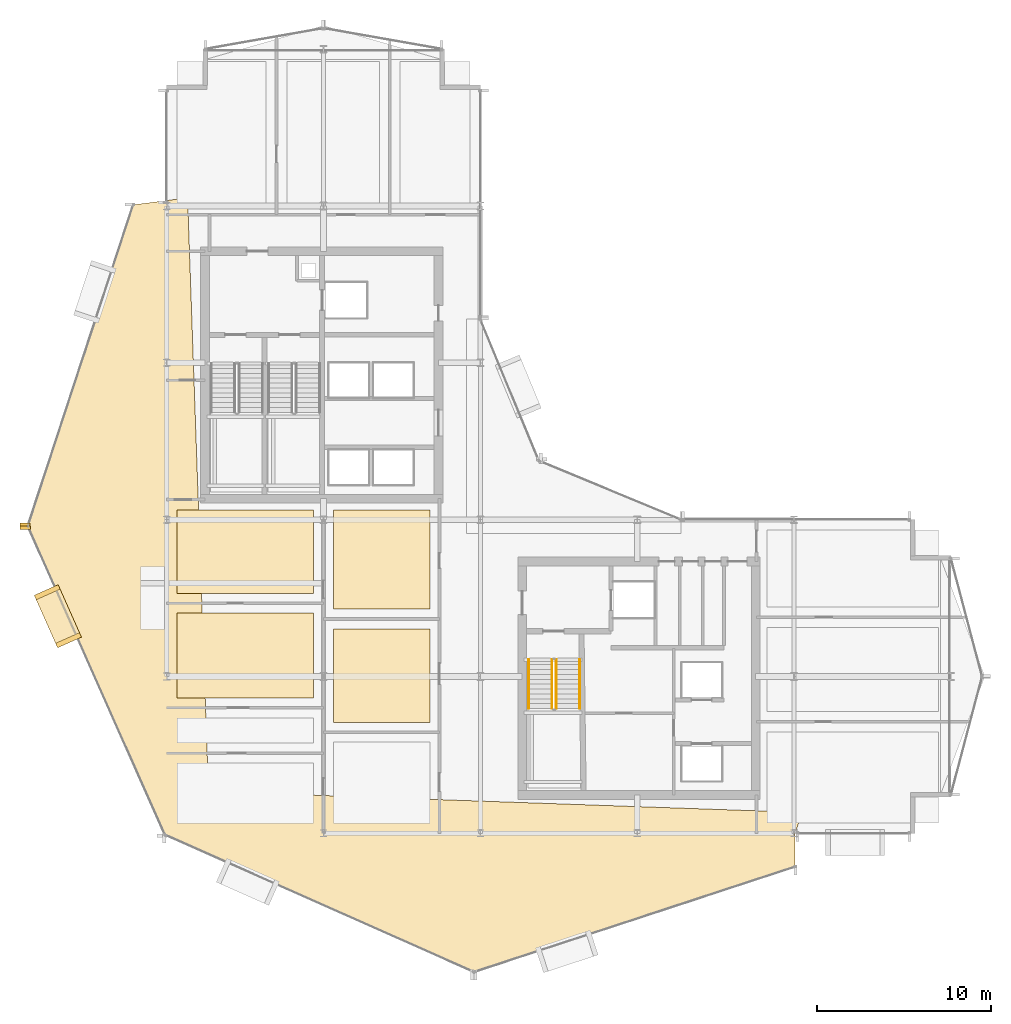
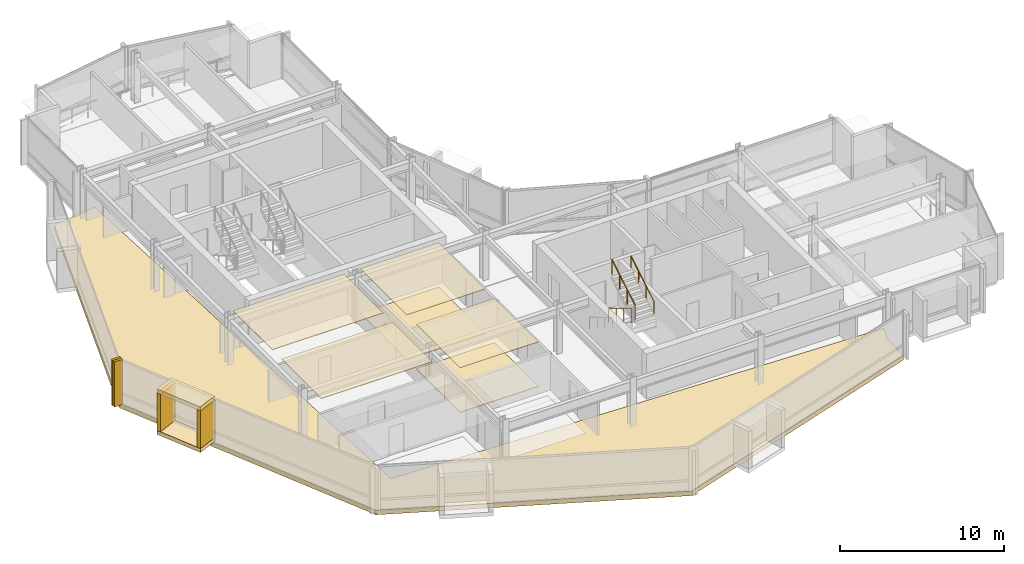
# One storey, part 26 of 29: 13 coverings, 4 railings.
"""IFC4 building model written with IfcOpenShell, lengths in metres."""

import ifcopenshell
import ifcopenshell.guid

model = None  # the IFC model being written
_history = None  # IfcOwnerHistory: only IFC2X3 demands one
_inside = {}  # id of a spatial element -> (the spatial element, [elements in it])
_under = {}  # id of a project, library or spatial element -> (it, [spatial elements below it])
_declared = {}  # id of a project -> (the project, [libraries it declares])
_typed = {}  # id of a type object -> (the type object, [elements of that type])
_made_of = {}  # id of a material, layer set ... -> (it, [elements and type objects made of it])


def new_model(schema):
    """Start an empty IFC model of exactly this schema.

    Asked for "IFC4X3", IfcOpenShell would pick the latest addendum, in which some entities
    have other attributes; the version numbers below select the first issue.
    IFC2X3 requires an IfcOwnerHistory on every rooted entity: one is made here for all.
    """
    global model, _history
    if schema == "IFC4X3":
        model = ifcopenshell.file(schema_version=(4, 3, 0, 0))
    else:
        model = ifcopenshell.file(schema=schema)
    _inside.clear()
    _under.clear()
    _declared.clear()
    _typed.clear()
    _made_of.clear()
    _history = None
    if model.schema == "IFC2X3":
        org = make("IfcOrganization", Name="unknown")
        user = make(
            "IfcPersonAndOrganization",
            ThePerson=make("IfcPerson", FamilyName="unknown"),
            TheOrganization=org,
        )
        app = make(
            "IfcApplication",
            ApplicationDeveloper=org,
            Version="unknown",
            ApplicationFullName="unknown",
            ApplicationIdentifier="unknown",
        )
        _history = make(
            "IfcOwnerHistory",
            OwningUser=user,
            OwningApplication=app,
            ChangeAction="ADDED",
            CreationDate=0,
        )
    return model


def make(cls, **values):
    """One entity of the class cls with the attributes given. An attribute that is None is left unset."""
    return model.create_entity(
        cls, **{name: value for name, value in values.items() if value is not None}
    )


def rooted(cls, **values):
    """An entity with a GlobalId (a new one), such as an element, a storey or a relation."""
    return make(cls, GlobalId=ifcopenshell.guid.new(), OwnerHistory=_history, **values)


def si_unit(unit_type, name, prefix=None):
    """IfcSIUnit, for example si_unit("LENGTHUNIT", "METRE", prefix="MILLI")."""
    return make("IfcSIUnit", UnitType=unit_type, Prefix=prefix, Name=name)


def assignment(units):
    """IfcUnitAssignment: the units of a project."""
    return None if units is None else make("IfcUnitAssignment", Units=units)


def point(xyz):
    """IfcCartesianPoint."""
    return None if xyz is None else make("IfcCartesianPoint", Coordinates=xyz)


def direction(xyz):
    """IfcDirection."""
    return None if xyz is None else make("IfcDirection", DirectionRatios=xyz)


def frame(location, z_axis=None, x_axis=None):
    """IfcAxis2Placement3D, a coordinate frame: its origin and axes. An axis left out is left unset."""
    return make(
        "IfcAxis2Placement3D",
        Location=point(location),
        Axis=direction(z_axis),
        RefDirection=direction(x_axis),
    )


def frame_2d(location, x_axis=None):
    """IfcAxis2Placement2D, a coordinate frame in the plane: its origin and x axis."""
    return make(
        "IfcAxis2Placement2D", Location=point(location), RefDirection=direction(x_axis)
    )


def origin():
    """The frame at (0, 0, 0) with its axes left unset."""
    return frame((0.0, 0.0, 0.0))


def origin_2d():
    """The frame at (0, 0) in the plane with its x axis left unset."""
    return frame_2d((0.0, 0.0))


def place(relative_to, where):
    """IfcLocalPlacement: puts the frame where relative to a parent placement (None: the world)."""
    return make(
        "IfcLocalPlacement", PlacementRelTo=relative_to, RelativePlacement=where
    )


def context(
    kind, dimensions, precision=None, world=None, true_north=None, identifier=None
):
    """IfcGeometricRepresentationContext, for example the 3D "Model" context."""
    return make(
        "IfcGeometricRepresentationContext",
        ContextIdentifier=identifier,
        ContextType=kind,
        CoordinateSpaceDimension=dimensions,
        Precision=precision,
        WorldCoordinateSystem=world,
        TrueNorth=true_north,
    )


def subcontext(parent, identifier, kind, view, scale=None):
    """IfcGeometricRepresentationSubContext, for example "Body" below "Model"."""
    return make(
        "IfcGeometricRepresentationSubContext",
        ContextIdentifier=identifier,
        ContextType=kind,
        ParentContext=parent,
        TargetScale=scale,
        TargetView=view,
    )


def project(units=None, contexts=None):
    """IfcProject with its units and contexts."""
    return rooted(
        "IfcProject",
        Name="project",
        RepresentationContexts=contexts,
        UnitsInContext=assignment(units),
    )


def spatial(cls, under=None, at=None, **own):
    """A site, building, storey or space (cls), placed at a placement, below another one or the project."""
    s = rooted(cls, ObjectPlacement=at, **own)
    if under is not None:
        _under.setdefault(under.id(), (under, []))[1].append(s)
    return s


def polyline(points):
    """IfcPolyline through the points."""
    return make("IfcPolyline", Points=[point(p) for p in points])


def profile(cls, at=None, kind="AREA", **sizes):
    """A parametric profile (cls). Its sizes go by their IFC names, for example OverallWidth=200.0."""
    return make(cls, ProfileType=kind, Position=at, **sizes)


def rectangle(**sizes):
    """IfcRectangleProfileDef."""
    return profile("IfcRectangleProfileDef", **sizes)


def circle(**sizes):
    """IfcCircleProfileDef."""
    return profile("IfcCircleProfileDef", **sizes)


def outline(outer, holes=None, kind="AREA"):
    """IfcArbitraryClosedProfileDef: a profile drawn as a closed curve; with holes, ...WithVoids."""
    if holes is None:
        return make("IfcArbitraryClosedProfileDef", ProfileType=kind, OuterCurve=outer)
    return make(
        "IfcArbitraryProfileDefWithVoids",
        ProfileType=kind,
        OuterCurve=outer,
        InnerCurves=holes,
    )


def extrude(swept, where, along, depth):
    """IfcExtrudedAreaSolid: the profile swept, set in the frame where, extruded along a direction by depth."""
    return make(
        "IfcExtrudedAreaSolid",
        SweptArea=swept,
        Position=where,
        ExtrudedDirection=direction(along),
        Depth=depth,
    )


def shape(context_of_items, identifier, shape_type, items):
    """IfcShapeRepresentation: the items that make up one representation, for example the "Body"."""
    return make(
        "IfcShapeRepresentation",
        ContextOfItems=context_of_items,
        RepresentationIdentifier=identifier,
        RepresentationType=shape_type,
        Items=items,
    )


def material(Name=None, Category=None):
    """IfcMaterial."""
    return make("IfcMaterial", Name=Name, Category=Category)


def layer(
    of_material, thickness, ventilated=None, Name=None, Category=None, Priority=None
):
    """IfcMaterialLayer: one layer of a wall or slab, of a material (None: an air gap)."""
    return make(
        "IfcMaterialLayer",
        Material=of_material,
        LayerThickness=thickness,
        IsVentilated=ventilated,
        Name=Name,
        Category=Category,
        Priority=Priority,
    )


def layer_set(layers, Name=None):
    """IfcMaterialLayerSet."""
    return make("IfcMaterialLayerSet", MaterialLayers=layers, LayerSetName=Name)


def made_of(thing, what):
    """Note that an element or type object is made of a material, layer set ...; save() writes the relation."""
    if what is not None:
        _made_of.setdefault(what.id(), (what, []))[1].append(thing)
    return thing


def type_object(cls, material=None, **own):
    """A type object (cls), such as IfcWallType, which elements share."""
    return made_of(rooted(cls, **own), material)


def element(
    cls,
    number,
    at=None,
    inside=None,
    cuts=None,
    type_object=None,
    material=None,
    context=None,
    identifier="Body",
    shape_type=None,
    held_by="IfcProductDefinitionShape",
    body=None,
    shapes=None,
    **own,
):
    """One element of the class cls, such as IfcWall. Its Tag is "e" and its number.

    at: its placement. inside: the storey or other place that contains it. cuts: it is an
    opening in that element (IfcRelVoidsElement). A single representation is given by context,
    identifier, shape_type and body (its items); several are given by shapes. held_by: the class
    of the entity that holds the representations. save() writes the other relations.
    """
    e = rooted(cls, Tag="e%d" % number, ObjectPlacement=at, **own)
    if body is not None:
        shapes = [shape(context, identifier, shape_type, body)]
    if shapes is not None:
        e.Representation = make(held_by, Representations=shapes)
    if inside is not None:
        _inside.setdefault(inside.id(), (inside, []))[1].append(e)
    if cuts is not None:
        rooted(
            "IfcRelVoidsElement", RelatingBuildingElement=cuts, RelatedOpeningElement=e
        )
    if type_object is not None:
        _typed.setdefault(type_object.id(), (type_object, []))[1].append(e)
    return made_of(e, material)


def aggregate(whole, parts):
    """IfcRelAggregates: a whole, such as a stair, and the parts it consists of."""
    return rooted("IfcRelAggregates", RelatingObject=whole, RelatedObjects=parts)


def save(model, path):
    """Write the relations noted so far, then the file.

    IfcRelAggregates (storeys below a building ...), IfcRelContainedInSpatialStructure (elements
    in a storey), IfcRelDefinesByType, IfcRelAssociatesMaterial and IfcRelDeclares: one each for
    every whole, place, type object, material and project.
    """
    for whole, parts in _under.values():
        aggregate(whole, parts)
    for where, things in _inside.values():
        rooted(
            "IfcRelContainedInSpatialStructure",
            RelatedElements=things,
            RelatingStructure=where,
        )
    for kind, things in _typed.values():
        rooted("IfcRelDefinesByType", RelatedObjects=things, RelatingType=kind)
    for what, things in _made_of.values():
        rooted("IfcRelAssociatesMaterial", RelatedObjects=things, RelatingMaterial=what)
    for by, libraries in _declared.values():
        rooted("IfcRelDeclares", RelatingContext=by, RelatedDefinitions=libraries)
    model.write(path)


model = new_model("IFC4")

# Units and contexts
model_context = context("Model", 3, precision=1e-05, world=origin(), true_north=direction((0.0, 1.0)))
body_context = subcontext(model_context, "Body", "Model", "MODEL_VIEW")
ifc_project = project(units=[si_unit("LENGTHUNIT", "METRE"), si_unit("AREAUNIT", "SQUARE_METRE"), si_unit("VOLUMEUNIT", "CUBIC_METRE"), si_unit("PLANEANGLEUNIT", "RADIAN"), si_unit("MASSUNIT", "GRAM", prefix="KILO")], contexts=[model_context])

# Site, building, storey
site_placement = place(None, origin())
site = spatial("IfcSite", under=ifc_project, at=site_placement, CompositionType="ELEMENT")
building_placement = place(site_placement, origin())
building = spatial("IfcBuilding", under=site, at=building_placement, Name="Solvaryn Broadcast Tower", CompositionType="ELEMENT")
storey_placement = place(building_placement, frame((0.0, 0.0, 165.5)))
storey = spatial("IfcBuildingStorey", under=building, at=storey_placement, Name="L41", CompositionType="ELEMENT", Elevation=165.5)

# Coverings
ifc_material_1 = material(Name="Micro-Perforated Acoustic Gypsum Ceiling", Category="concrete")
ifc_layer_1 = layer(ifc_material_1, 0.0400390625)
ifc_layer_set_1 = layer_set([ifc_layer_1], Name="CV-CEIL-ACOUSTIC")
covering_type_1 = type_object("IfcCoveringType", Name="CV-CEIL-ACOUSTIC", PredefinedType="CEILING", material=ifc_layer_set_1)
covering_1_placement = place(storey_placement, frame((0.0, 0.0, 3.330078125)))
element("IfcCovering", 1, at=covering_1_placement, inside=storey, type_object=covering_type_1, Name="L41 Room Acoustic Ceiling 2", PredefinedType="CEILING", context=body_context, shape_type="SweptSolid", body=[
    extrude(outline(polyline([(18.570068359375, 15.3701171875), (24.10009765625, 15.3701171875), (24.10009765625, 20.72998046875), (18.570068359375, 20.72998046875), (18.570068359375, 15.3701171875)])), origin(), (0.0, 0.0, 1.0), 0.0400390625),
])
covering_2_placement = place(storey_placement, frame((0.0, 0.0, 3.330078125)))
element("IfcCovering", 2, at=covering_2_placement, inside=storey, type_object=covering_type_1, Name="L41 Room Acoustic Ceiling 3", PredefinedType="CEILING", context=body_context, shape_type="SweptSolid", body=[
    extrude(outline(polyline([(18.570068359375, 21.8701171875), (24.10009765625, 21.8701171875), (24.10009765625, 27.56005859375), (18.570068359375, 27.56005859375), (18.570068359375, 21.8701171875)])), origin(), (0.0, 0.0, 1.0), 0.0400390625),
])
covering_3_placement = place(storey_placement, frame((0.0, 0.0, 3.330078125)))
element("IfcCovering", 3, at=covering_3_placement, inside=storey, type_object=covering_type_1, Name="L41 Room Acoustic Ceiling 6", PredefinedType="CEILING", context=body_context, shape_type="SweptSolid", body=[
    extrude(outline(polyline([(9.60009765625, 16.77001953125), (17.429931640625, 16.77001953125), (17.429931640625, 21.6298828125), (9.60009765625, 21.6298828125), (9.60009765625, 16.77001953125)])), origin(), (0.0, 0.0, 1.0), 0.0400390625),
])
covering_4_placement = place(storey_placement, frame((0.0, 0.0, 3.330078125)))
element("IfcCovering", 4, at=covering_4_placement, inside=storey, type_object=covering_type_1, Name="L41 Room Acoustic Ceiling 7", PredefinedType="CEILING", context=body_context, shape_type="SweptSolid", body=[
    extrude(outline(polyline([(9.60009765625, 22.77001953125), (17.429931640625, 22.77001953125), (17.429931640625, 27.56005859375), (9.60009765625, 27.56005859375), (9.60009765625, 22.77001953125)])), origin(), (0.0, 0.0, 1.0), 0.0400390625),
])
ifc_material_2 = material(Name="Newsroom Raised Data Access Flooring", Category="steel")
ifc_layer_2 = layer(ifc_material_2, 0.050048828125)
ifc_layer_set_2 = layer_set([ifc_layer_2], Name="CV-FLOOR-RAISED")
covering_type_2 = type_object("IfcCoveringType", Name="CV-FLOOR-RAISED", PredefinedType="FLOORING", material=ifc_layer_set_2)
covering_5_placement = place(storey_placement, origin())
element("IfcCovering", 5, at=covering_5_placement, inside=storey, type_object=covering_type_2, Name="L41 Room Acoustic Floor Finish 2", PredefinedType="FLOORING", context=body_context, shape_type="SweptSolid", body=[
    extrude(outline(polyline([(18.570068359375, 15.3701171875), (24.10009765625, 15.3701171875), (24.10009765625, 20.72998046875), (18.570068359375, 20.72998046875), (18.570068359375, 15.3701171875)])), origin(), (0.0, 0.0, 1.0), 0.050048828125),
])
covering_6_placement = place(storey_placement, origin())
element("IfcCovering", 6, at=covering_6_placement, inside=storey, type_object=covering_type_2, Name="L41 Room Acoustic Floor Finish 3", PredefinedType="FLOORING", context=body_context, shape_type="SweptSolid", body=[
    extrude(outline(polyline([(18.570068359375, 21.8701171875), (24.10009765625, 21.8701171875), (24.10009765625, 27.56005859375), (18.570068359375, 27.56005859375), (18.570068359375, 21.8701171875)])), origin(), (0.0, 0.0, 1.0), 0.050048828125),
])
ifc_material_3 = material(Name="Glazed Architectural Terracotta Rainscreen Cladding", Category="masonry")
ifc_layer_3 = layer(ifc_material_3, 0.280029296875)
ifc_layer_set_3 = layer_set([ifc_layer_3], Name="CV-TC-CLAD")
covering_type_3 = type_object("IfcCoveringType", Name="CV-TC-CLAD", PredefinedType="CLADDING", material=ifc_layer_set_3)
for number, where, z_axis, x_axis, name in (
    (7, (2.75390625, 21.45703125, 3.080078125), (0.0, 0.0, 1.0), (0.405939269498, -0.913900054426, 0.0), "L41 Projecting Stone Window Box Hood 2"),
    (8, (2.75390625, 21.45703125, -0.01025390625), (0.0, 0.0, 1.0), (0.405939269498, -0.913900054426, 0.0), "L41 Projecting Stone Window Box Sill 2"),
):
    element("IfcCovering", number, at=place(storey_placement, frame(where, z_axis=z_axis, x_axis=x_axis)), inside=storey, type_object=covering_type_3, Name=name, PredefinedType="CLADDING", context=body_context, shape_type="SweptSolid", body=[
        extrude(rectangle(XDim=3.300048828125, YDim=1.5, at=origin_2d()), origin(), (0.0, 0.0, 1.0), 0.300048828125),
    ])
for number, where, z_axis, x_axis, name in (
    (9, (2.14111328125, 22.8369140625, 0.280029296875), (0.0, 0.0, 1.0), (0.405939269498, -0.913900054426, 0.0), "L41 Projecting Stone Window Box Cheek 2-1"),
    (10, (3.366943359375, 20.076904296875, 0.280029296875), (0.0, 0.0, 1.0), (0.405939269498, -0.913900054426, 0.0), "L41 Projecting Stone Window Box Cheek 2-2"),
):
    element("IfcCovering", number, at=place(storey_placement, frame(where, z_axis=z_axis, x_axis=x_axis)), inside=storey, type_object=covering_type_3, Name=name, PredefinedType="CLADDING", context=body_context, shape_type="SweptSolid", body=[
        extrude(rectangle(XDim=0.280029296875, YDim=1.5, at=origin_2d()), origin(), (0.0, 0.0, 1.0), 2.81005859375),
    ])
ifc_material_4 = material(Name="Extruded Architectural Terracotta Fin", Category="masonry")
ifc_layer_4 = layer(ifc_material_4, 0.179931640625)
ifc_layer_set_4 = layer_set([ifc_layer_4], Name="CV-TC-FIN")
covering_type_4 = type_object("IfcCoveringType", Name="CV-TC-FIN", PredefinedType="USERDEFINED", material=ifc_layer_set_4)
for number, where, z_axis, x_axis, name in (
    (11, (0.872314453125, 26.720703125, 0.0), (0.0, 0.0, 1.0), (1.0, 0.0, 0.0), "L41 Terracotta Vertical Fin FIN-L41-DR1-M01"),
    (12, (0.8818359375, 26.535888671875, 0.0), (0.0, 0.0, 1.0), (1.0, 0.0, 0.0), "L41 Terracotta Vertical Fin FIN-L41-DR2-M00"),
):
    element("IfcCovering", number, at=place(storey_placement, frame(where, z_axis=z_axis, x_axis=x_axis)), inside=storey, type_object=covering_type_4, Name=name, ObjectType="FIN", PredefinedType="USERDEFINED", context=body_context, shape_type="SweptSolid", body=[
        extrude(rectangle(XDim=0.580078125, YDim=0.179931640625, at=origin_2d()), origin(), (0.0, 0.0, 1.0), 3.3701171875),
    ])
ifc_material_5 = material(Name="Sculpted Architectural Terracotta Wave Fascia", Category="masonry")
ifc_layer_5 = layer(ifc_material_5, 0.340087890625)
ifc_layer_set_5 = layer_set([ifc_layer_5], Name="CV-WAVE-TRAY")
covering_type_5 = type_object("IfcCoveringType", Name="CV-WAVE-TRAY", PredefinedType="CLADDING", material=ifc_layer_set_5)
covering_7_placement = place(storey_placement, frame((0.0, 0.0, -0.300048828125)))
element("IfcCovering", 13, at=covering_7_placement, inside=storey, type_object=covering_type_5, Name="L41 Stepped Cylindrical Drum Floor Apron", PredefinedType="CLADDING", context=body_context, shape_type="SweptSolid", body=[
    extrude(outline(polyline([(10.199951171875, 45.467041015625), (7.0791015625, 45.06689453125), (1.033935546875, 26.635986328125), (8.907958984375, 8.907958984375), (26.635986328125, 1.033935546875), (45.06689453125, 7.0791015625), (45.06689453125, 9.0), (45.467041015625, 10.199951171875), (11.39990234375, 11.39990234375), (10.199951171875, 45.467041015625)])), origin(), (0.0, 0.0, 1.0), 0.330078125),
])

# Railings
ifc_material_6 = material(Name="Painted Steel Stair Well Guard", Category="steel")
railing_type_1 = type_object("IfcRailingType", Name="RL-STAIR-GUARD", PredefinedType="BALUSTRADE", material=ifc_material_6)
railing_1_placement = place(storey_placement, frame((31.110107421875, 18.9599609375, 0.168212890625)))
element("IfcRailing", 14, at=railing_1_placement, inside=storey, type_object=railing_type_1, Name="L41 ST3 stair guard 1", PredefinedType="BALUSTRADE", context=body_context, shape_type="SweptSolid", body=[
    extrude(circle(Radius=0.02392578125, at=origin_2d()), frame((0.0, 0.0, 1.076171875), z_axis=(0.0, -0.857242210791, 0.514913383045), x_axis=(1.0, 0.0, 0.0)), (0.0, 0.0, 1.0), 3.266357421875),
    extrude(circle(Radius=0.02099609375, at=origin_2d()), origin(), (0.0, 0.0, 1.0), 1.052001953125),
    extrude(circle(Radius=0.02099609375, at=origin_2d()), frame((0.0, -0.933349609375, 0.560546875)), (0.0, 0.0, 1.0), 1.052001953125),
    extrude(circle(Radius=0.02099609375, at=origin_2d()), frame((0.0, -1.86669921875, 1.121337890625)), (0.0, 0.0, 1.0), 1.052001953125),
    extrude(circle(Radius=0.02099609375, at=origin_2d()), frame((0.0, -2.800048828125, 1.681884765625)), (0.0, 0.0, 1.0), 1.052001953125),
])
railing_2_placement = place(storey_placement, frame((31.360107421875, 16.159912109375, 2.01806640625)))
element("IfcRailing", 15, at=railing_2_placement, inside=storey, type_object=railing_type_1, Name="L41 ST3 stair guard 3", PredefinedType="BALUSTRADE", context=body_context, shape_type="SweptSolid", body=[
    extrude(circle(Radius=0.02392578125, at=origin_2d()), frame((0.0, 0.0, 1.076171875), z_axis=(0.0, 0.857242210791, 0.514913383045), x_axis=(-1.0, 0.0, 0.0)), (0.0, 0.0, 1.0), 3.266357421875),
    extrude(circle(Radius=0.02099609375, at=origin_2d()), origin(), (0.0, 0.0, 1.0), 1.052001953125),
    extrude(circle(Radius=0.02099609375, at=origin_2d()), frame((0.0, 0.933349609375, 0.560546875)), (0.0, 0.0, 1.0), 1.052001953125),
    extrude(circle(Radius=0.02099609375, at=origin_2d()), frame((0.0, 1.86669921875, 1.121337890625)), (0.0, 0.0, 1.0), 1.052001953125),
    extrude(circle(Radius=0.02099609375, at=origin_2d()), frame((0.0, 2.800048828125, 1.681884765625)), (0.0, 0.0, 1.0), 1.052001953125),
])
ifc_material_7 = material(Name="Brushed Stainless Steel Tubular Handrail", Category="steel")
railing_type_2 = type_object("IfcRailingType", Name="RL-STAIR-HANDRAIL", PredefinedType="HANDRAIL", material=ifc_material_7)
railing_3_placement = place(storey_placement, frame((29.77001953125, 18.9599609375, 0.168212890625)))
element("IfcRailing", 16, at=railing_3_placement, inside=storey, type_object=railing_type_2, Name="L41 ST3 stair handrail 1", PredefinedType="HANDRAIL", context=body_context, shape_type="SweptSolid", body=[
    extrude(circle(Radius=0.02392578125, at=origin_2d()), frame((0.0, 0.0, 0.8759765625), z_axis=(0.0, -0.857242210791, 0.514913383045), x_axis=(1.0, 0.0, 0.0)), (0.0, 0.0, 1.0), 3.266357421875),
    extrude(circle(Radius=0.02099609375, at=origin_2d()), origin(), (0.0, 0.0, 1.0), 0.851806640625),
    extrude(circle(Radius=0.02099609375, at=origin_2d()), frame((0.0, -0.933349609375, 0.560546875)), (0.0, 0.0, 1.0), 0.851806640625),
    extrude(circle(Radius=0.02099609375, at=origin_2d()), frame((0.0, -1.86669921875, 1.121337890625)), (0.0, 0.0, 1.0), 0.851806640625),
    extrude(circle(Radius=0.02099609375, at=origin_2d()), frame((0.0, -2.800048828125, 1.681884765625)), (0.0, 0.0, 1.0), 0.851806640625),
])
railing_4_placement = place(storey_placement, frame((32.699951171875, 16.159912109375, 2.01806640625)))
element("IfcRailing", 17, at=railing_4_placement, inside=storey, type_object=railing_type_2, Name="L41 ST3 stair handrail 2", PredefinedType="HANDRAIL", context=body_context, shape_type="SweptSolid", body=[
    extrude(circle(Radius=0.02392578125, at=origin_2d()), frame((0.0, 0.0, 0.8759765625), z_axis=(0.0, 0.857242210791, 0.514913383045), x_axis=(-1.0, 0.0, 0.0)), (0.0, 0.0, 1.0), 3.266357421875),
    extrude(circle(Radius=0.02099609375, at=origin_2d()), origin(), (0.0, 0.0, 1.0), 0.851806640625),
    extrude(circle(Radius=0.02099609375, at=origin_2d()), frame((0.0, 0.933349609375, 0.560546875)), (0.0, 0.0, 1.0), 0.851806640625),
    extrude(circle(Radius=0.02099609375, at=origin_2d()), frame((0.0, 1.86669921875, 1.121337890625)), (0.0, 0.0, 1.0), 0.851806640625),
    extrude(circle(Radius=0.02099609375, at=origin_2d()), frame((0.0, 2.800048828125, 1.681884765625)), (0.0, 0.0, 1.0), 0.851806640625),
])

save(model, "model.ifc")
